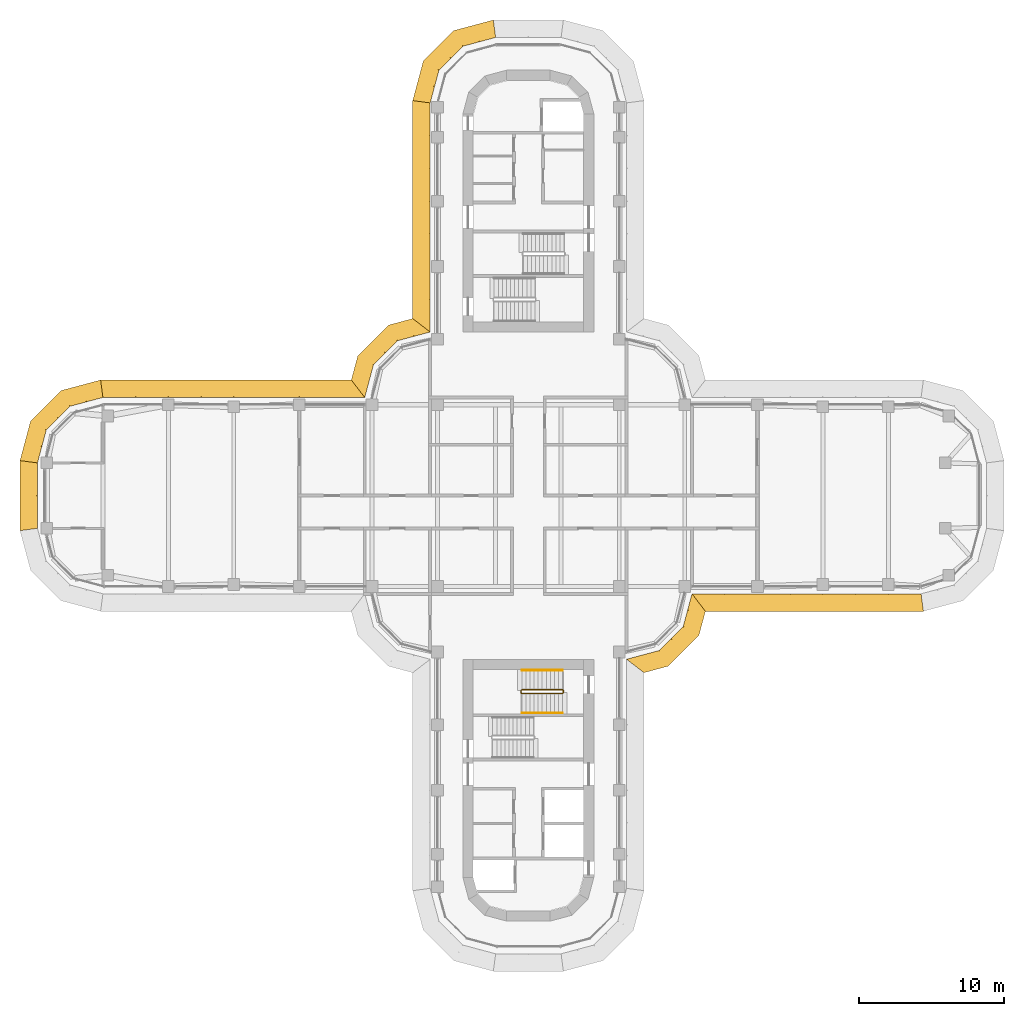
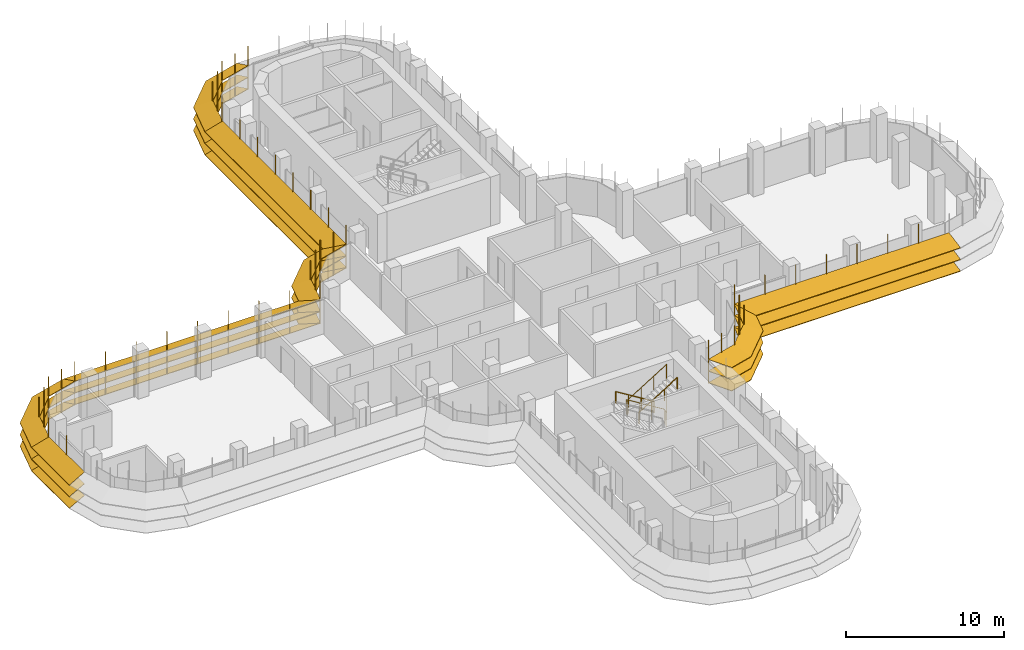
# One storey, part 17 of 19: 8 shading devices, 3 railings.
"""IFC4 building model written with IfcOpenShell, lengths in metres."""

from ifc_helpers import new_model, si_unit, direction, frame, origin, origin_2d, place, context, subcontext, project, spatial, polyline, circle, outline, extrude, faceted_brep, source, transform, mapped, material, type_object, element, save


model = new_model("IFC4")

# Units and contexts
model_context = context("Model", 3, precision=1e-05, world=origin(), true_north=direction((0.0, 1.0)))
body_context = subcontext(model_context, "Body", "Model", "MODEL_VIEW")
ifc_project = project(units=[si_unit("LENGTHUNIT", "METRE"), si_unit("AREAUNIT", "SQUARE_METRE"), si_unit("VOLUMEUNIT", "CUBIC_METRE"), si_unit("PLANEANGLEUNIT", "RADIAN"), si_unit("MASSUNIT", "GRAM", prefix="KILO")], contexts=[model_context])

# Site, building, storey
site_placement = place(None, origin())
site = spatial("IfcSite", under=ifc_project, at=site_placement, CompositionType="ELEMENT")
building_placement = place(site_placement, origin())
building = spatial("IfcBuilding", under=site, at=building_placement, Name="Zarbagh Exchange Tower", CompositionType="ELEMENT")
storey_placement = place(building_placement, frame((0.0, 0.0, 167.60009765625)))
storey = spatial("IfcBuildingStorey", under=building, at=storey_placement, Name="L40", CompositionType="ELEMENT", Elevation=167.60009765625)

# Railings
ifc_material_1 = material(Name="Stainless steel", Category="steel")
railing_type_1 = type_object("IfcRailingType", Name="Stair guard 1100 mm", PredefinedType="GUARDRAIL", material=ifc_material_1)
railing_1_placement = place(storey_placement, frame((-0.5, -13.39990234375, 1.89990234375)))
element("IfcRailing", 1, at=railing_1_placement, inside=storey, type_object=railing_type_1, Name="ST4 stair guard 1", PredefinedType="GUARDRAIL", context=body_context, shape_type="SweptSolid", body=[
    extrude(circle(Radius=0.02392578125, at=origin_2d()), frame((0.0, 0.0, 1.076171875), z_axis=(0.0, -1.0, 0.0), x_axis=(1.0, 0.0, 0.0)), (0.0, 0.0, 1.0), 0.150146484375),
    extrude(circle(Radius=0.02392578125, at=origin_2d()), frame((0.0, -0.150146484375, 1.076171875), z_axis=(0.268277960024, -0.268277960024, 0.925231793839), x_axis=(0.707106781187, 0.707106781187, 0.0)), (0.0, 0.0, 1.0), 0.1865234375),
    extrude(circle(Radius=0.02392578125, at=origin_2d()), frame((0.050048828125, -0.2001953125, 1.24853515625), z_axis=(0.851089632645, 0.0, 0.525020415988), x_axis=(0.0, 1.0, 0.0)), (0.0, 0.0, 1.0), 3.2900390625),
    extrude(circle(Radius=0.02392578125, at=origin_2d()), frame((2.85009765625, -0.2001953125, 2.97607421875), z_axis=(0.013104908129, 0.013169147875, -0.999827402569), x_axis=(-0.708833529934, 0.705375805398, 0.0)), (0.0, 0.0, 1.0), 3.800537109375),
    extrude(circle(Radius=0.02392578125, at=origin_2d()), frame((2.89990234375, -0.150146484375, -0.82373046875), z_axis=(0.0, 1.0, 0.0), x_axis=(-1.0, 0.0, 0.0)), (0.0, 0.0, 1.0), 0.150146484375),
    extrude(circle(Radius=0.02392578125, at=origin_2d()), frame((2.89990234375, 0.0, -0.82373046875), z_axis=(-0.26715648603, 0.26715648603, 0.925880566782), x_axis=(-0.707106781187, -0.707106781187, 0.0)), (0.0, 0.0, 1.0), 0.1865234375),
    extrude(circle(Radius=0.02392578125, at=origin_2d()), frame((2.85009765625, 0.0498046875, -0.6513671875), z_axis=(-0.851089632645, 0.0, 0.525020415988), x_axis=(0.0, -1.0, 0.0)), (0.0, 0.0, 1.0), 3.2900390625),
    extrude(circle(Radius=0.02099609375, at=origin_2d()), origin(), (0.0, 0.0, 1.0), 1.052001953125),
    extrude(circle(Radius=0.02099609375, at=origin_2d()), frame((0.0, -0.150146484375, 0.0)), (0.0, 0.0, 1.0), 1.052001953125),
    extrude(circle(Radius=0.02099609375, at=origin_2d()), frame((0.050048828125, -0.2001953125, 0.172607421875)), (0.0, 0.0, 1.0), 1.052001953125),
    extrude(circle(Radius=0.02099609375, at=origin_2d()), frame((0.9833984375, -0.2001953125, 0.748291015625)), (0.0, 0.0, 1.0), 1.052001953125),
    extrude(circle(Radius=0.02099609375, at=origin_2d()), frame((1.916748046875, -0.2001953125, 1.32421875)), (0.0, 0.0, 1.0), 1.052001953125),
    extrude(circle(Radius=0.02099609375, at=origin_2d()), frame((2.85009765625, -0.2001953125, 1.89990234375)), (0.0, 0.0, 1.0), 1.052001953125),
    extrude(circle(Radius=0.02099609375, at=origin_2d()), frame((2.862548828125, -0.187744140625, 0.949951171875)), (0.0, 0.0, 1.0), 1.052001953125),
    extrude(circle(Radius=0.02099609375, at=origin_2d()), frame((2.875, -0.17529296875, 0.0)), (0.0, 0.0, 1.0), 1.052001953125),
    extrude(circle(Radius=0.02099609375, at=origin_2d()), frame((2.887451171875, -0.16259765625, -0.949951171875)), (0.0, 0.0, 1.0), 1.052001953125),
    extrude(circle(Radius=0.02099609375, at=origin_2d()), frame((2.89990234375, -0.150146484375, -1.89990234375)), (0.0, 0.0, 1.0), 1.052001953125),
    extrude(circle(Radius=0.02099609375, at=origin_2d()), frame((2.89990234375, 0.0, -1.89990234375)), (0.0, 0.0, 1.0), 1.052001953125),
    extrude(circle(Radius=0.02099609375, at=origin_2d()), frame((2.85009765625, 0.0498046875, -1.727294921875)), (0.0, 0.0, 1.0), 1.052001953125),
    extrude(circle(Radius=0.02099609375, at=origin_2d()), frame((1.916748046875, 0.0498046875, -1.151611328125)), (0.0, 0.0, 1.0), 1.052001953125),
    extrude(circle(Radius=0.02099609375, at=origin_2d()), frame((0.9833984375, 0.0498046875, -0.57568359375)), (0.0, 0.0, 1.0), 1.052001953125),
    extrude(circle(Radius=0.02099609375, at=origin_2d()), frame((0.050048828125, 0.0498046875, 0.0)), (0.0, 0.0, 1.0), 1.052001953125),
])
railing_type_2 = type_object("IfcRailingType", Name="Stair handrail 900 mm", PredefinedType="HANDRAIL", material=ifc_material_1)
railing_2_placement = place(storey_placement, frame((2.35009765625, -12.0, 0.172607421875)))
element("IfcRailing", 2, at=railing_2_placement, inside=storey, type_object=railing_type_2, Name="ST4 stair handrail 1", PredefinedType="HANDRAIL", context=body_context, shape_type="SweptSolid", body=[
    extrude(circle(Radius=0.02392578125, at=origin_2d()), frame((0.0, 0.0, 0.8759765625), z_axis=(-0.851089632645, 0.0, 0.525020415988), x_axis=(0.0, -1.0, 0.0)), (0.0, 0.0, 1.0), 3.2900390625),
    extrude(circle(Radius=0.02099609375, at=origin_2d()), origin(), (0.0, 0.0, 1.0), 0.851806640625),
    extrude(circle(Radius=0.02099609375, at=origin_2d()), frame((-0.933349609375, 0.0, 0.57568359375)), (0.0, 0.0, 1.0), 0.851806640625),
    extrude(circle(Radius=0.02099609375, at=origin_2d()), frame((-1.86669921875, 0.0, 1.151611328125)), (0.0, 0.0, 1.0), 0.851806640625),
    extrude(circle(Radius=0.02099609375, at=origin_2d()), frame((-2.800048828125, 0.0, 1.727294921875)), (0.0, 0.0, 1.0), 0.851806640625),
])
railing_3_placement = place(storey_placement, frame((-0.449951171875, -14.949951171875, 2.072509765625)))
element("IfcRailing", 3, at=railing_3_placement, inside=storey, type_object=railing_type_2, Name="ST4 stair handrail 2", PredefinedType="HANDRAIL", context=body_context, shape_type="SweptSolid", body=[
    extrude(circle(Radius=0.02392578125, at=origin_2d()), frame((0.0, 0.0, 0.8759765625), z_axis=(0.851089632645, 0.0, 0.525020415988), x_axis=(0.0, 1.0, 0.0)), (0.0, 0.0, 1.0), 3.2900390625),
    extrude(circle(Radius=0.02099609375, at=origin_2d()), origin(), (0.0, 0.0, 1.0), 0.851806640625),
    extrude(circle(Radius=0.02099609375, at=origin_2d()), frame((0.933349609375, 0.0, 0.57568359375)), (0.0, 0.0, 1.0), 0.851806640625),
    extrude(circle(Radius=0.02099609375, at=origin_2d()), frame((1.86669921875, 0.0, 1.151611328125)), (0.0, 0.0, 1.0), 0.851806640625),
    extrude(circle(Radius=0.02099609375, at=origin_2d()), frame((2.800048828125, 0.0, 1.727294921875)), (0.0, 0.0, 1.0), 0.851806640625),
])

# Shading devices
ifc_material_2 = material(Name="Anodised aluminium blades and brackets", Category="aluminium")
shading_device_type = type_object("IfcShadingDeviceType", Name="SUNSHADE louvre band, 22.5 degree blades", PredefinedType="JALOUSIE", material=ifc_material_2)
shared_shape_1 = source(origin(), body_context, "Body", "Brep", [
    faceted_brep([(0.0, 0.0, 0.0), (0.0, 0.0, -0.043212890625), (-0.157958984375, -1.199951171875, -0.540283203125), (-0.157958984375, -1.199951171875, -0.4970703125), (2.65087890625, -1.199951171875, -0.4970703125), (2.65087890625, -1.199951171875, -0.540283203125), (2.329345703125, 0.0, -0.043212890625), (2.329345703125, 0.0, 0.0)], [[[0, 1, 2, 3]], [[4, 5, 6, 7]], [[0, 7, 6, 1]], [[1, 6, 5, 2]], [[2, 5, 4, 3]], [[3, 4, 7, 0]]]),
])
shared_shape_2 = source(origin(), body_context, "Body", "Brep", [
    faceted_brep([(0.0, 0.0, 0.0), (0.0, 0.0, -0.043212890625), (-0.321533203125, -1.199951171875, -0.540283203125), (-0.321533203125, -1.199951171875, -0.4970703125), (2.65087890625, -1.199951171875, -0.4970703125), (2.65087890625, -1.199951171875, -0.540283203125), (2.329345703125, 0.0, -0.043212890625), (2.329345703125, 0.0, 0.0)], [[[0, 1, 2, 3]], [[4, 5, 6, 7]], [[0, 7, 6, 1]], [[1, 6, 5, 2]], [[2, 5, 4, 3]], [[3, 4, 7, 0]]]),
])
shared_shape_3 = source(origin(), body_context, "Body", "Brep", [
    faceted_brep([(0.0, 0.0, 0.0), (0.0, 0.0, -0.043212890625), (-0.321533203125, -1.199951171875, -0.540283203125), (-0.321533203125, -1.199951171875, -0.4970703125), (2.4873046875, -1.199951171875, -0.4970703125), (2.4873046875, -1.199951171875, -0.540283203125), (2.329345703125, 0.0, -0.043212890625), (2.329345703125, 0.0, 0.0)], [[[0, 1, 2, 3]], [[4, 5, 6, 7]], [[0, 7, 6, 1]], [[1, 6, 5, 2]], [[2, 5, 4, 3]], [[3, 4, 7, 0]]]),
])
shared_shape_4 = source(origin(), body_context, "Body", "SweptSolid", [
    extrude(outline(polyline([(0.0, -0.012451171875), (0.06005859375, -0.012451171875), (0.06005859375, 0.012451171875), (0.0, 0.012451171875), (0.0, -0.012451171875)])), origin(), (0.0, 0.0, 1.0), 3.353271484375),
])
placement = place(storey_placement, origin())
element("IfcShadingDevice", 4, at=placement, inside=storey, type_object=shading_device_type, Name="SS28 sunshade band", PredefinedType="JALOUSIE", context=body_context, shape_type="MappedRepresentation", body=[
    mapped(shared_shape_1, transform((-2.25, 31.5, 2.2998046875), x_axis=(-0.965924289636, -0.258824779902, 0.0), y_axis=(0.258824779902, -0.965924289636, 0.0), z_axis=(0.0, 0.0, 1.0))),
    mapped(shared_shape_1, transform((-2.25, 31.5, 1.39990234375), x_axis=(-0.965924289636, -0.258824779902, 0.0), y_axis=(0.258824779902, -0.965924289636, 0.0), z_axis=(0.0, 0.0, 1.0))),
    mapped(shared_shape_1, transform((-2.25, 31.5, 0.5), x_axis=(-0.965924289636, -0.258824779902, 0.0), y_axis=(0.258824779902, -0.965924289636, 0.0), z_axis=(0.0, 0.0, 1.0))),
    mapped(shared_shape_2, transform((-4.5, 30.897216796875, 2.2998046875), x_axis=(-0.707106781187, -0.707106781187, 0.0), y_axis=(0.707106781187, -0.707106781187, 0.0), z_axis=(0.0, 0.0, 1.0))),
    mapped(shared_shape_2, transform((-4.5, 30.897216796875, 1.39990234375), x_axis=(-0.707106781187, -0.707106781187, 0.0), y_axis=(0.707106781187, -0.707106781187, 0.0), z_axis=(0.0, 0.0, 1.0))),
    mapped(shared_shape_2, transform((-4.5, 30.897216796875, 0.5), x_axis=(-0.707106781187, -0.707106781187, 0.0), y_axis=(0.707106781187, -0.707106781187, 0.0), z_axis=(0.0, 0.0, 1.0))),
    mapped(shared_shape_3, transform((-6.147216796875, 29.25, 2.2998046875), x_axis=(-0.258824779902, -0.965924289636, 0.0), y_axis=(0.965924289636, -0.258824779902, 0.0), z_axis=(0.0, 0.0, 1.0))),
    mapped(shared_shape_3, transform((-6.147216796875, 29.25, 1.39990234375), x_axis=(-0.258824779902, -0.965924289636, 0.0), y_axis=(0.965924289636, -0.258824779902, 0.0), z_axis=(0.0, 0.0, 1.0))),
    mapped(shared_shape_3, transform((-6.147216796875, 29.25, 0.5), x_axis=(-0.258824779902, -0.965924289636, 0.0), y_axis=(0.965924289636, -0.258824779902, 0.0), z_axis=(0.0, 0.0, 1.0))),
    mapped(shared_shape_4, transform((-2.25, 31.5, 0.426513671875), x_axis=(-0.130529263012, 0.991444457092, 0.0), y_axis=(-0.991444457092, -0.130529263012, 0.0), z_axis=(0.0, 0.0, 1.0))),
    mapped(shared_shape_4, transform((-3.375, 31.198486328125, 0.426513671875), x_axis=(-0.258825058029, 0.96592421511, 0.0), y_axis=(-0.96592421511, -0.258825058029, 0.0), z_axis=(0.0, 0.0, 1.0))),
    mapped(shared_shape_4, transform((-4.5, 30.897216796875, 0.426513671875), x_axis=(-0.50000275701, 0.866023812018, 0.0), y_axis=(-0.866023812018, -0.50000275701, 0.0), z_axis=(0.0, 0.0, 1.0))),
    mapped(shared_shape_4, transform((-5.323486328125, 30.073486328125, 0.426513671875), x_axis=(-0.707106781187, 0.707106781187, 0.0), y_axis=(-0.707106781187, -0.707106781187, 0.0), z_axis=(0.0, 0.0, 1.0))),
    mapped(shared_shape_4, transform((-6.147216796875, 29.25, 0.426513671875), x_axis=(-0.866023812018, 0.50000275701, 0.0), y_axis=(-0.50000275701, -0.866023812018, 0.0), z_axis=(0.0, 0.0, 1.0))),
    mapped(shared_shape_4, transform((-6.448486328125, 28.125, 0.426513671875), x_axis=(-0.96592421511, 0.258825058029, 0.0), y_axis=(-0.258825058029, -0.96592421511, 0.0), z_axis=(0.0, 0.0, 1.0))),
])
element("IfcShadingDevice", 5, at=placement, inside=storey, type_object=shading_device_type, Name="SS17 sunshade band", PredefinedType="JALOUSIE", context=body_context, shape_type="MappedRepresentation", body=[
    mapped(shared_shape_1, transform((-29.25, 6.75, 2.2998046875), x_axis=(-0.965924289636, -0.258824779902, 0.0), y_axis=(0.258824779902, -0.965924289636, 0.0), z_axis=(0.0, 0.0, 1.0))),
    mapped(shared_shape_1, transform((-29.25, 6.75, 1.39990234375), x_axis=(-0.965924289636, -0.258824779902, 0.0), y_axis=(0.258824779902, -0.965924289636, 0.0), z_axis=(0.0, 0.0, 1.0))),
    mapped(shared_shape_1, transform((-29.25, 6.75, 0.5), x_axis=(-0.965924289636, -0.258824779902, 0.0), y_axis=(0.258824779902, -0.965924289636, 0.0), z_axis=(0.0, 0.0, 1.0))),
    mapped(shared_shape_2, transform((-31.5, 6.147216796875, 2.2998046875), x_axis=(-0.707106781187, -0.707106781187, 0.0), y_axis=(0.707106781187, -0.707106781187, 0.0), z_axis=(0.0, 0.0, 1.0))),
    mapped(shared_shape_2, transform((-31.5, 6.147216796875, 1.39990234375), x_axis=(-0.707106781187, -0.707106781187, 0.0), y_axis=(0.707106781187, -0.707106781187, 0.0), z_axis=(0.0, 0.0, 1.0))),
    mapped(shared_shape_2, transform((-31.5, 6.147216796875, 0.5), x_axis=(-0.707106781187, -0.707106781187, 0.0), y_axis=(0.707106781187, -0.707106781187, 0.0), z_axis=(0.0, 0.0, 1.0))),
    mapped(shared_shape_3, transform((-33.147216796875, 4.5, 2.2998046875), x_axis=(-0.258824779902, -0.965924289636, 0.0), y_axis=(0.965924289636, -0.258824779902, 0.0), z_axis=(0.0, 0.0, 1.0))),
    mapped(shared_shape_3, transform((-33.147216796875, 4.5, 1.39990234375), x_axis=(-0.258824779902, -0.965924289636, 0.0), y_axis=(0.965924289636, -0.258824779902, 0.0), z_axis=(0.0, 0.0, 1.0))),
    mapped(shared_shape_3, transform((-33.147216796875, 4.5, 0.5), x_axis=(-0.258824779902, -0.965924289636, 0.0), y_axis=(0.965924289636, -0.258824779902, 0.0), z_axis=(0.0, 0.0, 1.0))),
    mapped(shared_shape_4, transform((-29.25, 6.75, 0.426513671875), x_axis=(-0.130529263012, 0.991444457092, 0.0), y_axis=(-0.991444457092, -0.130529263012, 0.0), z_axis=(0.0, 0.0, 1.0))),
    mapped(shared_shape_4, transform((-30.375, 6.448486328125, 0.426513671875), x_axis=(-0.258825058029, 0.96592421511, 0.0), y_axis=(-0.96592421511, -0.258825058029, 0.0), z_axis=(0.0, 0.0, 1.0))),
    mapped(shared_shape_4, transform((-31.5, 6.147216796875, 0.426513671875), x_axis=(-0.50000275701, 0.866023812018, 0.0), y_axis=(-0.866023812018, -0.50000275701, 0.0), z_axis=(0.0, 0.0, 1.0))),
    mapped(shared_shape_4, transform((-32.323486328125, 5.323486328125, 0.426513671875), x_axis=(-0.707106781187, 0.707106781187, 0.0), y_axis=(-0.707106781187, -0.707106781187, 0.0), z_axis=(0.0, 0.0, 1.0))),
    mapped(shared_shape_4, transform((-33.147216796875, 4.5, 0.426513671875), x_axis=(-0.866023812018, 0.50000275701, 0.0), y_axis=(-0.50000275701, -0.866023812018, 0.0), z_axis=(0.0, 0.0, 1.0))),
    mapped(shared_shape_4, transform((-33.448486328125, 3.375, 0.426513671875), x_axis=(-0.96592421511, 0.258825058029, 0.0), y_axis=(-0.258825058029, -0.96592421511, 0.0), z_axis=(0.0, 0.0, 1.0))),
])
shared_shape_5 = source(origin(), body_context, "Body", "Brep", [
    faceted_brep([(0.0, 0.0, 0.0), (0.0, 0.0, -0.043212890625), (0.9208984375, -1.199951171875, -0.540283203125), (0.9208984375, -1.199951171875, -0.4970703125), (2.65087890625, -1.199951171875, -0.4970703125), (2.65087890625, -1.199951171875, -0.540283203125), (2.329345703125, 0.0, -0.043212890625), (2.329345703125, 0.0, 0.0)], [[[0, 1, 2, 3]], [[4, 5, 6, 7]], [[0, 7, 6, 1]], [[1, 6, 5, 2]], [[2, 5, 4, 3]], [[3, 4, 7, 0]]]),
])
shared_shape_6 = source(origin(), body_context, "Body", "Brep", [
    faceted_brep([(0.0, 0.0, 0.0), (0.0, 0.0, -0.043212890625), (-0.321533203125, -1.199951171875, -0.540283203125), (-0.321533203125, -1.199951171875, -0.4970703125), (1.40869140625, -1.199951171875, -0.4970703125), (1.40869140625, -1.199951171875, -0.540283203125), (2.329345703125, 0.0, -0.043212890625), (2.329345703125, 0.0, 0.0)], [[[0, 1, 2, 3]], [[4, 5, 6, 7]], [[0, 7, 6, 1]], [[1, 6, 5, 2]], [[2, 5, 4, 3]], [[3, 4, 7, 0]]]),
])
element("IfcShadingDevice", 6, at=placement, inside=storey, type_object=shading_device_type, Name="SS03 sunshade band", PredefinedType="JALOUSIE", context=body_context, shape_type="MappedRepresentation", body=[
    mapped(shared_shape_5, transform((6.75, -11.25, 2.2998046875), x_axis=(0.965924289636, 0.258824779902, 0.0), y_axis=(-0.258824779902, 0.965924289636, 0.0), z_axis=(0.0, 0.0, 1.0))),
    mapped(shared_shape_5, transform((6.75, -11.25, 1.39990234375), x_axis=(0.965924289636, 0.258824779902, 0.0), y_axis=(-0.258824779902, 0.965924289636, 0.0), z_axis=(0.0, 0.0, 1.0))),
    mapped(shared_shape_5, transform((6.75, -11.25, 0.5), x_axis=(0.965924289636, 0.258824779902, 0.0), y_axis=(-0.258824779902, 0.965924289636, 0.0), z_axis=(0.0, 0.0, 1.0))),
    mapped(shared_shape_2, transform((9.0, -10.647216796875, 2.2998046875), x_axis=(0.707106781187, 0.707106781187, 0.0), y_axis=(-0.707106781187, 0.707106781187, 0.0), z_axis=(0.0, 0.0, 1.0))),
    mapped(shared_shape_2, transform((9.0, -10.647216796875, 1.39990234375), x_axis=(0.707106781187, 0.707106781187, 0.0), y_axis=(-0.707106781187, 0.707106781187, 0.0), z_axis=(0.0, 0.0, 1.0))),
    mapped(shared_shape_2, transform((9.0, -10.647216796875, 0.5), x_axis=(0.707106781187, 0.707106781187, 0.0), y_axis=(-0.707106781187, 0.707106781187, 0.0), z_axis=(0.0, 0.0, 1.0))),
    mapped(shared_shape_6, transform((10.647216796875, -9.0, 2.2998046875), x_axis=(0.258824779902, 0.965924289636, 0.0), y_axis=(-0.965924289636, 0.258824779902, 0.0), z_axis=(0.0, 0.0, 1.0))),
    mapped(shared_shape_6, transform((10.647216796875, -9.0, 1.39990234375), x_axis=(0.258824779902, 0.965924289636, 0.0), y_axis=(-0.965924289636, 0.258824779902, 0.0), z_axis=(0.0, 0.0, 1.0))),
    mapped(shared_shape_6, transform((10.647216796875, -9.0, 0.5), x_axis=(0.258824779902, 0.965924289636, 0.0), y_axis=(-0.965924289636, 0.258824779902, 0.0), z_axis=(0.0, 0.0, 1.0))),
    mapped(shared_shape_4, transform((6.75, -11.25, 0.426513671875), x_axis=(0.793355287, -0.608758892, 0.0), y_axis=(0.608758892, 0.793355287, 0.0), z_axis=(0.0, 0.0, 1.0))),
    mapped(shared_shape_4, transform((7.875, -10.948486328125, 0.426513671875), x_axis=(0.258825058029, -0.96592421511, 0.0), y_axis=(0.96592421511, 0.258825058029, 0.0), z_axis=(0.0, 0.0, 1.0))),
    mapped(shared_shape_4, transform((9.0, -10.647216796875, 0.426513671875), x_axis=(0.50000275701, -0.866023812018, 0.0), y_axis=(0.866023812018, 0.50000275701, 0.0), z_axis=(0.0, 0.0, 1.0))),
    mapped(shared_shape_4, transform((9.823486328125, -9.823486328125, 0.426513671875), x_axis=(0.707106781187, -0.707106781187, 0.0), y_axis=(0.707106781187, 0.707106781187, 0.0), z_axis=(0.0, 0.0, 1.0))),
    mapped(shared_shape_4, transform((10.647216796875, -9.0, 0.426513671875), x_axis=(0.866023812018, -0.50000275701, 0.0), y_axis=(0.50000275701, 0.866023812018, 0.0), z_axis=(0.0, 0.0, 1.0))),
    mapped(shared_shape_4, transform((10.948486328125, -7.875, 0.426513671875), x_axis=(0.96592421511, -0.258825058029, 0.0), y_axis=(0.258825058029, 0.96592421511, 0.0), z_axis=(0.0, 0.0, 1.0))),
])
element("IfcShadingDevice", 7, at=placement, inside=storey, type_object=shading_device_type, Name="SS15 sunshade band", PredefinedType="JALOUSIE", context=body_context, shape_type="MappedRepresentation", body=[
    mapped(shared_shape_5, transform((-6.75, 11.25, 2.2998046875), x_axis=(-0.965924289636, -0.258824779902, 0.0), y_axis=(0.258824779902, -0.965924289636, 0.0), z_axis=(0.0, 0.0, 1.0))),
    mapped(shared_shape_5, transform((-6.75, 11.25, 1.39990234375), x_axis=(-0.965924289636, -0.258824779902, 0.0), y_axis=(0.258824779902, -0.965924289636, 0.0), z_axis=(0.0, 0.0, 1.0))),
    mapped(shared_shape_5, transform((-6.75, 11.25, 0.5), x_axis=(-0.965924289636, -0.258824779902, 0.0), y_axis=(0.258824779902, -0.965924289636, 0.0), z_axis=(0.0, 0.0, 1.0))),
    mapped(shared_shape_2, transform((-9.0, 10.647216796875, 2.2998046875), x_axis=(-0.707106781187, -0.707106781187, 0.0), y_axis=(0.707106781187, -0.707106781187, 0.0), z_axis=(0.0, 0.0, 1.0))),
    mapped(shared_shape_2, transform((-9.0, 10.647216796875, 1.39990234375), x_axis=(-0.707106781187, -0.707106781187, 0.0), y_axis=(0.707106781187, -0.707106781187, 0.0), z_axis=(0.0, 0.0, 1.0))),
    mapped(shared_shape_2, transform((-9.0, 10.647216796875, 0.5), x_axis=(-0.707106781187, -0.707106781187, 0.0), y_axis=(0.707106781187, -0.707106781187, 0.0), z_axis=(0.0, 0.0, 1.0))),
    mapped(shared_shape_6, transform((-10.647216796875, 9.0, 2.2998046875), x_axis=(-0.258824779902, -0.965924289636, 0.0), y_axis=(0.965924289636, -0.258824779902, 0.0), z_axis=(0.0, 0.0, 1.0))),
    mapped(shared_shape_6, transform((-10.647216796875, 9.0, 1.39990234375), x_axis=(-0.258824779902, -0.965924289636, 0.0), y_axis=(0.965924289636, -0.258824779902, 0.0), z_axis=(0.0, 0.0, 1.0))),
    mapped(shared_shape_6, transform((-10.647216796875, 9.0, 0.5), x_axis=(-0.258824779902, -0.965924289636, 0.0), y_axis=(0.965924289636, -0.258824779902, 0.0), z_axis=(0.0, 0.0, 1.0))),
    mapped(shared_shape_4, transform((-6.75, 11.25, 0.426513671875), x_axis=(-0.793355287, 0.608758892, 0.0), y_axis=(-0.608758892, -0.793355287, 0.0), z_axis=(0.0, 0.0, 1.0))),
    mapped(shared_shape_4, transform((-7.875, 10.948486328125, 0.426513671875), x_axis=(-0.258825058029, 0.96592421511, 0.0), y_axis=(-0.96592421511, -0.258825058029, 0.0), z_axis=(0.0, 0.0, 1.0))),
    mapped(shared_shape_4, transform((-9.0, 10.647216796875, 0.426513671875), x_axis=(-0.50000275701, 0.866023812018, 0.0), y_axis=(-0.866023812018, -0.50000275701, 0.0), z_axis=(0.0, 0.0, 1.0))),
    mapped(shared_shape_4, transform((-9.823486328125, 9.823486328125, 0.426513671875), x_axis=(-0.707106781187, 0.707106781187, 0.0), y_axis=(-0.707106781187, -0.707106781187, 0.0), z_axis=(0.0, 0.0, 1.0))),
    mapped(shared_shape_4, transform((-10.647216796875, 9.0, 0.426513671875), x_axis=(-0.866023812018, 0.50000275701, 0.0), y_axis=(-0.50000275701, -0.866023812018, 0.0), z_axis=(0.0, 0.0, 1.0))),
    mapped(shared_shape_4, transform((-10.948486328125, 7.875, 0.426513671875), x_axis=(-0.96592421511, 0.258825058029, 0.0), y_axis=(-0.258825058029, -0.96592421511, 0.0), z_axis=(0.0, 0.0, 1.0))),
])
shared_shape_7 = source(origin(), body_context, "Body", "Brep", [
    faceted_brep([(0.0, 0.0, 0.0), (0.0, 0.0, -0.043212890625), (0.9208984375, -1.199951171875, -0.540283203125), (0.9208984375, -1.199951171875, -0.4970703125), (15.907958984375, -1.199951171875, -0.4970703125), (15.907958984375, -1.199951171875, -0.540283203125), (15.75, 0.0, -0.043212890625), (15.75, 0.0, 0.0)], [[[0, 1, 2, 3]], [[4, 5, 6, 7]], [[0, 7, 6, 1]], [[1, 6, 5, 2]], [[2, 5, 4, 3]], [[3, 4, 7, 0]]]),
])
element("IfcShadingDevice", 8, at=placement, inside=storey, type_object=shading_device_type, Name="SS30 sunshade band", PredefinedType="JALOUSIE", context=body_context, shape_type="MappedRepresentation", body=[
    mapped(shared_shape_7, transform((11.25, -6.75, 2.2998046875), x_axis=(1.0, 0.0, 0.0), y_axis=(0.0, 1.0, 0.0), z_axis=(0.0, 0.0, 1.0))),
    mapped(shared_shape_7, transform((11.25, -6.75, 1.39990234375), x_axis=(1.0, 0.0, 0.0), y_axis=(0.0, 1.0, 0.0), z_axis=(0.0, 0.0, 1.0))),
    mapped(shared_shape_7, transform((11.25, -6.75, 0.5), x_axis=(1.0, 0.0, 0.0), y_axis=(0.0, 1.0, 0.0), z_axis=(0.0, 0.0, 1.0))),
    mapped(shared_shape_4, transform((11.25, -6.75, 0.426513671875), x_axis=(0.608758892, -0.793355287, 0.0), y_axis=(0.793355287, 0.608758892, 0.0), z_axis=(0.0, 0.0, 1.0))),
    mapped(shared_shape_4, transform((13.5, -6.75, 0.426513671875), x_axis=(0.0, -1.0, 0.0), y_axis=(1.0, 0.0, 0.0), z_axis=(0.0, 0.0, 1.0))),
    mapped(shared_shape_4, transform((15.75, -6.75, 0.426513671875), x_axis=(0.0, -1.0, 0.0), y_axis=(1.0, 0.0, 0.0), z_axis=(0.0, 0.0, 1.0))),
    mapped(shared_shape_4, transform((18.0, -6.75, 0.426513671875), x_axis=(0.0, -1.0, 0.0), y_axis=(1.0, 0.0, 0.0), z_axis=(0.0, 0.0, 1.0))),
    mapped(shared_shape_4, transform((20.25, -6.75, 0.426513671875), x_axis=(0.0, -1.0, 0.0), y_axis=(1.0, 0.0, 0.0), z_axis=(0.0, 0.0, 1.0))),
    mapped(shared_shape_4, transform((22.5, -6.75, 0.426513671875), x_axis=(0.0, -1.0, 0.0), y_axis=(1.0, 0.0, 0.0), z_axis=(0.0, 0.0, 1.0))),
    mapped(shared_shape_4, transform((24.75, -6.75, 0.426513671875), x_axis=(0.0, -1.0, 0.0), y_axis=(1.0, 0.0, 0.0), z_axis=(0.0, 0.0, 1.0))),
])
shared_shape_8 = source(origin(), body_context, "Body", "Brep", [
    faceted_brep([(0.0, 0.0, 0.0), (0.0, 0.0, -0.043212890625), (-0.157958984375, -1.199951171875, -0.540283203125), (-0.157958984375, -1.199951171875, -0.4970703125), (14.8291015625, -1.199951171875, -0.4970703125), (14.8291015625, -1.199951171875, -0.540283203125), (15.75, 0.0, -0.043212890625), (15.75, 0.0, 0.0)], [[[0, 1, 2, 3]], [[4, 5, 6, 7]], [[0, 7, 6, 1]], [[1, 6, 5, 2]], [[2, 5, 4, 3]], [[3, 4, 7, 0]]]),
])
element("IfcShadingDevice", 9, at=placement, inside=storey, type_object=shading_device_type, Name="SS29 sunshade band", PredefinedType="JALOUSIE", context=body_context, shape_type="MappedRepresentation", body=[
    mapped(shared_shape_8, transform((-6.75, 27.0, 2.2998046875), x_axis=(0.0, -1.0, 0.0), y_axis=(1.0, 0.0, 0.0), z_axis=(0.0, 0.0, 1.0))),
    mapped(shared_shape_8, transform((-6.75, 27.0, 1.39990234375), x_axis=(0.0, -1.0, 0.0), y_axis=(1.0, 0.0, 0.0), z_axis=(0.0, 0.0, 1.0))),
    mapped(shared_shape_8, transform((-6.75, 27.0, 0.5), x_axis=(0.0, -1.0, 0.0), y_axis=(1.0, 0.0, 0.0), z_axis=(0.0, 0.0, 1.0))),
    mapped(shared_shape_4, transform((-6.75, 27.0, 0.426513671875), x_axis=(-0.991444457092, 0.130529263012, 0.0), y_axis=(-0.130529263012, -0.991444457092, 0.0), z_axis=(0.0, 0.0, 1.0))),
    mapped(shared_shape_4, transform((-6.75, 24.75, 0.426513671875), x_axis=(-1.0, 0.0, 0.0), y_axis=(0.0, -1.0, 0.0), z_axis=(0.0, 0.0, 1.0))),
    mapped(shared_shape_4, transform((-6.75, 22.5, 0.426513671875), x_axis=(-1.0, 0.0, 0.0), y_axis=(0.0, -1.0, 0.0), z_axis=(0.0, 0.0, 1.0))),
    mapped(shared_shape_4, transform((-6.75, 20.25, 0.426513671875), x_axis=(-1.0, 0.0, 0.0), y_axis=(0.0, -1.0, 0.0), z_axis=(0.0, 0.0, 1.0))),
    mapped(shared_shape_4, transform((-6.75, 18.0, 0.426513671875), x_axis=(-1.0, 0.0, 0.0), y_axis=(0.0, -1.0, 0.0), z_axis=(0.0, 0.0, 1.0))),
    mapped(shared_shape_4, transform((-6.75, 15.75, 0.426513671875), x_axis=(-1.0, 0.0, 0.0), y_axis=(0.0, -1.0, 0.0), z_axis=(0.0, 0.0, 1.0))),
    mapped(shared_shape_4, transform((-6.75, 13.5, 0.426513671875), x_axis=(-1.0, 0.0, 0.0), y_axis=(0.0, -1.0, 0.0), z_axis=(0.0, 0.0, 1.0))),
])
shared_shape_9 = source(origin(), body_context, "Body", "Brep", [
    faceted_brep([(0.0, 0.0, 0.0), (0.0, 0.0, -0.043212890625), (0.9208984375, -1.199951171875, -0.540283203125), (0.9208984375, -1.199951171875, -0.4970703125), (18.157958984375, -1.199951171875, -0.4970703125), (18.157958984375, -1.199951171875, -0.540283203125), (18.0, 0.0, -0.043212890625), (18.0, 0.0, 0.0)], [[[0, 1, 2, 3]], [[4, 5, 6, 7]], [[0, 7, 6, 1]], [[1, 6, 5, 2]], [[2, 5, 4, 3]], [[3, 4, 7, 0]]]),
])
element("IfcShadingDevice", 10, at=placement, inside=storey, type_object=shading_device_type, Name="SS16 sunshade band", PredefinedType="JALOUSIE", context=body_context, shape_type="MappedRepresentation", body=[
    mapped(shared_shape_9, transform((-11.25, 6.75, 2.2998046875), x_axis=(-1.0, 0.0, 0.0), y_axis=(0.0, -1.0, 0.0), z_axis=(0.0, 0.0, 1.0))),
    mapped(shared_shape_9, transform((-11.25, 6.75, 1.39990234375), x_axis=(-1.0, 0.0, 0.0), y_axis=(0.0, -1.0, 0.0), z_axis=(0.0, 0.0, 1.0))),
    mapped(shared_shape_9, transform((-11.25, 6.75, 0.5), x_axis=(-1.0, 0.0, 0.0), y_axis=(0.0, -1.0, 0.0), z_axis=(0.0, 0.0, 1.0))),
    mapped(shared_shape_4, transform((-11.25, 6.75, 0.426513671875), x_axis=(-0.608758892, 0.793355287, 0.0), y_axis=(-0.793355287, -0.608758892, 0.0), z_axis=(0.0, 0.0, 1.0))),
    mapped(shared_shape_4, transform((-13.5, 6.75, 0.426513671875), x_axis=(0.0, 1.0, 0.0), y_axis=(-1.0, 0.0, 0.0), z_axis=(0.0, 0.0, 1.0))),
    mapped(shared_shape_4, transform((-15.75, 6.75, 0.426513671875), x_axis=(0.0, 1.0, 0.0), y_axis=(-1.0, 0.0, 0.0), z_axis=(0.0, 0.0, 1.0))),
    mapped(shared_shape_4, transform((-18.0, 6.75, 0.426513671875), x_axis=(0.0, 1.0, 0.0), y_axis=(-1.0, 0.0, 0.0), z_axis=(0.0, 0.0, 1.0))),
    mapped(shared_shape_4, transform((-20.25, 6.75, 0.426513671875), x_axis=(0.0, 1.0, 0.0), y_axis=(-1.0, 0.0, 0.0), z_axis=(0.0, 0.0, 1.0))),
    mapped(shared_shape_4, transform((-22.5, 6.75, 0.426513671875), x_axis=(0.0, 1.0, 0.0), y_axis=(-1.0, 0.0, 0.0), z_axis=(0.0, 0.0, 1.0))),
    mapped(shared_shape_4, transform((-24.75, 6.75, 0.426513671875), x_axis=(0.0, 1.0, 0.0), y_axis=(-1.0, 0.0, 0.0), z_axis=(0.0, 0.0, 1.0))),
    mapped(shared_shape_4, transform((-27.0, 6.75, 0.426513671875), x_axis=(0.0, 1.0, 0.0), y_axis=(-1.0, 0.0, 0.0), z_axis=(0.0, 0.0, 1.0))),
])
shared_shape_10 = source(origin(), body_context, "Body", "Brep", [
    faceted_brep([(0.0, 0.0, 0.0), (0.0, 0.0, -0.043212890625), (-0.157958984375, -1.199951171875, -0.540283203125), (-0.157958984375, -1.199951171875, -0.4970703125), (4.657958984375, -1.199951171875, -0.4970703125), (4.657958984375, -1.199951171875, -0.540283203125), (4.5, 0.0, -0.043212890625), (4.5, 0.0, 0.0)], [[[0, 1, 2, 3]], [[4, 5, 6, 7]], [[0, 7, 6, 1]], [[1, 6, 5, 2]], [[2, 5, 4, 3]], [[3, 4, 7, 0]]]),
])
element("IfcShadingDevice", 11, at=placement, inside=storey, type_object=shading_device_type, Name="SS18 sunshade band", PredefinedType="JALOUSIE", context=body_context, shape_type="MappedRepresentation", body=[
    mapped(shared_shape_10, transform((-33.75, 2.25, 2.2998046875), x_axis=(0.0, -1.0, 0.0), y_axis=(1.0, 0.0, 0.0), z_axis=(0.0, 0.0, 1.0))),
    mapped(shared_shape_10, transform((-33.75, 2.25, 1.39990234375), x_axis=(0.0, -1.0, 0.0), y_axis=(1.0, 0.0, 0.0), z_axis=(0.0, 0.0, 1.0))),
    mapped(shared_shape_10, transform((-33.75, 2.25, 0.5), x_axis=(0.0, -1.0, 0.0), y_axis=(1.0, 0.0, 0.0), z_axis=(0.0, 0.0, 1.0))),
    mapped(shared_shape_4, transform((-33.75, 2.25, 0.426513671875), x_axis=(-0.991444457092, 0.130529263012, 0.0), y_axis=(-0.130529263012, -0.991444457092, 0.0), z_axis=(0.0, 0.0, 1.0))),
    mapped(shared_shape_4, transform((-33.75, 0.0, 0.426513671875), x_axis=(-1.0, 0.0, 0.0), y_axis=(0.0, -1.0, 0.0), z_axis=(0.0, 0.0, 1.0))),
])

save(model, "model.ifc")
